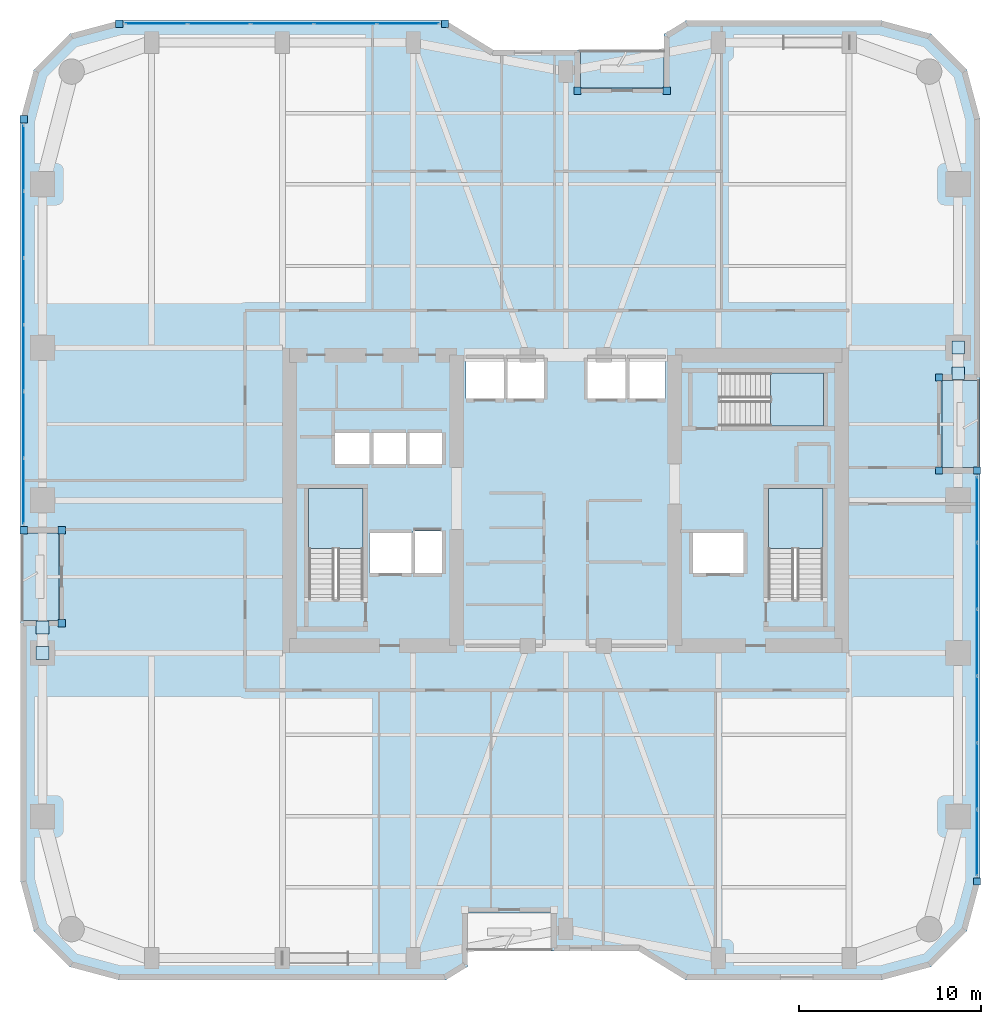
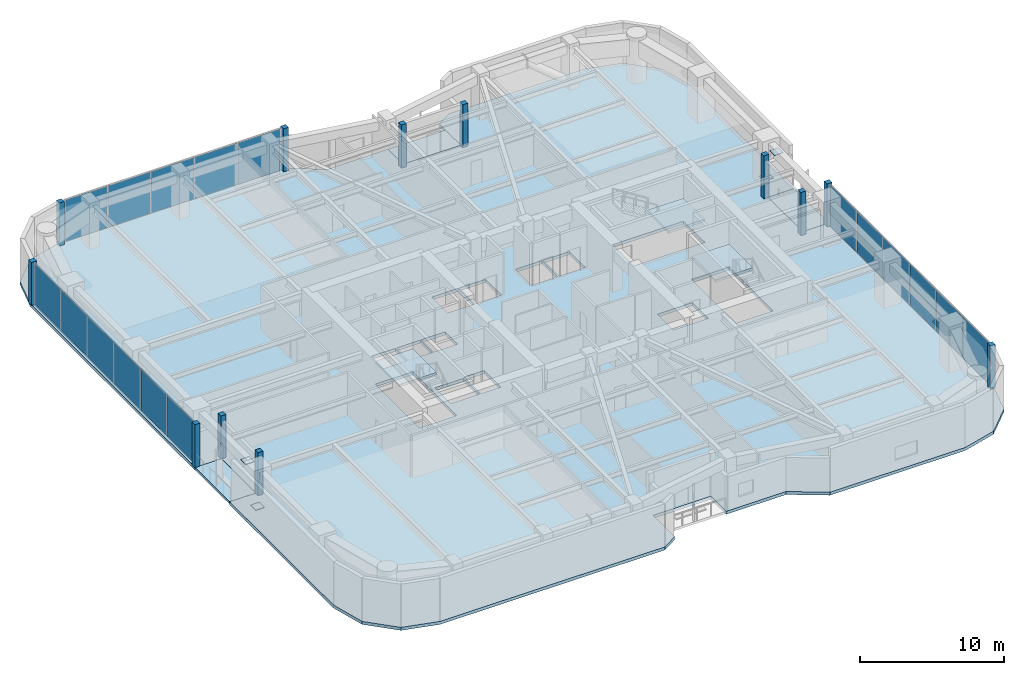
# One storey, part 16 of 24: 33 plates, 7 slabs, 6 elements without a shape of their own.
"""IFC4 building model written with IfcOpenShell, lengths in metres."""

from ifc_helpers import new_model, si_unit, direction, frame, origin, origin_2d, place, context, subcontext, project, spatial, polyline, rectangle, outline, extrude, material, layer, layer_set, type_object, element, aggregate, save


model = new_model("IFC4")

# Units and contexts
model_context = context("Model", 3, precision=1e-05, world=origin(), true_north=direction((0.0, 1.0)))
body_context = subcontext(model_context, "Body", "Model", "MODEL_VIEW")
ifc_project = project(units=[si_unit("LENGTHUNIT", "METRE"), si_unit("AREAUNIT", "SQUARE_METRE"), si_unit("VOLUMEUNIT", "CUBIC_METRE"), si_unit("PLANEANGLEUNIT", "RADIAN"), si_unit("MASSUNIT", "GRAM", prefix="KILO")], contexts=[model_context])

# Site, building, storey
site_placement = place(None, origin())
site = spatial("IfcSite", under=ifc_project, at=site_placement, CompositionType="ELEMENT")
building_placement = place(site_placement, origin())
building = spatial("IfcBuilding", under=site, at=building_placement, Name="Kiyonajd Concourse Tower", CompositionType="ELEMENT")
storey_placement = place(building_placement, frame((0.0, 0.0, 137.699951171875)))
storey = spatial("IfcBuildingStorey", under=building, at=storey_placement, Name="L35", CompositionType="ELEMENT", Elevation=137.699951171875)

# Plates
ifc_material_1 = material(Name="Steel ASTM A572 Grade 50", Category="steel")
ifc_layer_1 = layer(ifc_material_1, 0.028076171875)
ifc_layer_set_1 = layer_set([ifc_layer_1], Name="Steel ASTM A572 Grade 50")
plate_type_1 = type_object("IfcPlateType", Name="PL-CAP-450", PredefinedType="USERDEFINED", material=ifc_layer_set_1)
for number, where, z_axis, x_axis, name in (
    (1, (19.199951171875, 27.59521484375, 0.27587890625), (0.0, 0.0, 1.0), (1.0, 0.0, 0.0), "L35 Hollow Brace End Cap Plate PBW"),
    (2, (19.199951171875, 29.004638671875, 3.2861328125), (0.0, 0.0, 1.0), (1.0, 0.0, 0.0), "L35 Hollow Brace Top Cap Plate PBW"),
    (3, (69.60009765625, 44.40478515625, 0.27587890625), (0.0, 0.0, 1.0), (1.0, 0.0, 0.0), "L35 Hollow Brace End Cap Plate PBE"),
    (4, (69.60009765625, 42.995361328125, 3.2861328125), (0.0, 0.0, 1.0), (1.0, 0.0, 0.0), "L35 Hollow Brace Top Cap Plate PBE"),
):
    element("IfcPlate", number, at=place(storey_placement, frame(where, z_axis=z_axis, x_axis=x_axis)), inside=storey, type_object=plate_type_1, Name=name, ObjectType="CAP PLATE", PredefinedType="USERDEFINED", context=body_context, shape_type="SweptSolid", body=[
        extrude(rectangle(XDim=0.7099609375, YDim=0.7099609375, at=origin_2d()), origin(), (0.0, 0.0, 1.0), 0.028076171875),
    ])

# Curtain wall, plates
ifc_material_2 = material(Name="Thermally Broken Anodised Aluminium", Category="aluminium")
ifc_layer_2 = layer(ifc_material_2, 0.179931640625)
ifc_layer_set_2 = layer_set([ifc_layer_2], Name="Thermally Broken Anodised Aluminium")
curtain_wall_type = type_object("IfcCurtainWallType", Name="CW-SYS-03", PredefinedType="NOTDEFINED", material=ifc_layer_set_2)
curtain_wall_1_placement = place(storey_placement, origin())
curtain_wall_1 = element("IfcCurtainWall", 5, at=curtain_wall_1_placement, inside=storey, type_object=curtain_wall_type, Name="L35 Unitised Curtain Wall CW3", PredefinedType="NOTDEFINED")
ifc_material_3 = material(Name="Double Low-E Insulated Glass", Category="glass")
ifc_layer_3 = layer(ifc_material_3, 0.033935546875)
ifc_layer_set_3 = layer_set([ifc_layer_3], Name="Double Low-E Insulated Glass")
plate_type_2 = type_object("IfcPlateType", Name="PL-CW-VIS34", PredefinedType="CURTAIN_PANEL", material=ifc_layer_set_3)
plate_1_placement = place(storey_placement, frame((18.159912109375, 36.5029296875, 0.06494140625), z_axis=(0.0, 0.0, 1.0), x_axis=(0.0, 1.0, 0.0)))
plate_1 = element("IfcPlate", 6, at=plate_1_placement, type_object=plate_type_2, Name="CW3 panel 1.1", PredefinedType="CURTAIN_PANEL", context=body_context, shape_type="SweptSolid", body=[
    extrude(rectangle(XDim=3.57568359375, YDim=0.033935546875, at=origin_2d()), origin(), (0.0, 0.0, 1.0), 3.510009765625),
])
plate_2_placement = place(storey_placement, frame((18.159912109375, 40.15966796875, 0.06494140625), z_axis=(0.0, 0.0, 1.0), x_axis=(0.0, 1.0, 0.0)))
plate_2 = element("IfcPlate", 7, at=plate_2_placement, type_object=plate_type_2, Name="CW3 panel 2.1", PredefinedType="CURTAIN_PANEL", context=body_context, shape_type="SweptSolid", body=[
    extrude(rectangle(XDim=3.608154296875, YDim=0.033935546875, at=origin_2d()), origin(), (0.0, 0.0, 1.0), 3.510009765625),
])
plate_3_placement = place(storey_placement, frame((18.159912109375, 43.832763671875, 0.06494140625), z_axis=(0.0, 0.0, 1.0), x_axis=(0.0, 1.0, 0.0)))
plate_3 = element("IfcPlate", 8, at=plate_3_placement, type_object=plate_type_2, Name="CW3 panel 3.1", PredefinedType="CURTAIN_PANEL", context=body_context, shape_type="SweptSolid", body=[
    extrude(rectangle(XDim=3.608154296875, YDim=0.033935546875, at=origin_2d()), origin(), (0.0, 0.0, 1.0), 3.510009765625),
])
plate_4_placement = place(storey_placement, frame((18.159912109375, 47.506103515625, 0.06494140625), z_axis=(0.0, 0.0, 1.0), x_axis=(0.0, 1.0, 0.0)))
plate_4 = element("IfcPlate", 9, at=plate_4_placement, type_object=plate_type_2, Name="CW3 panel 4.1", PredefinedType="CURTAIN_PANEL", context=body_context, shape_type="SweptSolid", body=[
    extrude(rectangle(XDim=3.608154296875, YDim=0.033935546875, at=origin_2d()), origin(), (0.0, 0.0, 1.0), 3.510009765625),
])
plate_5_placement = place(storey_placement, frame((18.159912109375, 51.17919921875, 0.06494140625), z_axis=(0.0, 0.0, 1.0), x_axis=(0.0, 1.0, 0.0)))
plate_5 = element("IfcPlate", 10, at=plate_5_placement, type_object=plate_type_2, Name="CW3 panel 5.1", PredefinedType="CURTAIN_PANEL", context=body_context, shape_type="SweptSolid", body=[
    extrude(rectangle(XDim=3.608154296875, YDim=0.033935546875, at=origin_2d()), origin(), (0.0, 0.0, 1.0), 3.510009765625),
])
plate_6_placement = place(storey_placement, frame((18.159912109375, 54.836181640625, 0.06494140625), z_axis=(0.0, 0.0, 1.0), x_axis=(0.0, 1.0, 0.0)))
plate_6 = element("IfcPlate", 11, at=plate_6_placement, type_object=plate_type_2, Name="CW3 panel 6.1", PredefinedType="CURTAIN_PANEL", context=body_context, shape_type="SweptSolid", body=[
    extrude(rectangle(XDim=3.57568359375, YDim=0.033935546875, at=origin_2d()), origin(), (0.0, 0.0, 1.0), 3.510009765625),
])
aggregate(curtain_wall_1, [plate_1, plate_2, plate_3, plate_4, plate_5, plate_6])

curtain_wall_2_placement = place(storey_placement, origin())
curtain_wall_2 = element("IfcCurtainWall", 12, at=curtain_wall_2_placement, inside=storey, type_object=curtain_wall_type, Name="L35 Unitised Curtain Wall CW3", PredefinedType="NOTDEFINED")
plate_7_placement = place(storey_placement, frame((25.462646484375, 62.239990234375, 0.06494140625), z_axis=(0.0, 0.0, 1.0), x_axis=(1.0, 0.0, 0.0)))
plate_7 = element("IfcPlate", 13, at=plate_7_placement, type_object=plate_type_2, Name="CW3 panel 1.1", PredefinedType="CURTAIN_PANEL", context=body_context, shape_type="SweptSolid", body=[
    extrude(rectangle(XDim=3.373291015625, YDim=0.033935546875, at=origin_2d()), origin(), (0.0, 0.0, 1.0), 3.510009765625),
])
plate_8_placement = place(storey_placement, frame((28.917236328125, 62.239990234375, 0.06494140625), z_axis=(0.0, 0.0, 1.0), x_axis=(1.0, 0.0, 0.0)))
plate_8 = element("IfcPlate", 14, at=plate_8_placement, type_object=plate_type_2, Name="CW3 panel 2.1", PredefinedType="CURTAIN_PANEL", context=body_context, shape_type="SweptSolid", body=[
    extrude(rectangle(XDim=3.40576171875, YDim=0.033935546875, at=origin_2d()), origin(), (0.0, 0.0, 1.0), 3.510009765625),
])
plate_9_placement = place(storey_placement, frame((32.387939453125, 62.239990234375, 0.06494140625), z_axis=(0.0, 0.0, 1.0), x_axis=(1.0, 0.0, 0.0)))
plate_9 = element("IfcPlate", 15, at=plate_9_placement, type_object=plate_type_2, Name="CW3 panel 3.1", PredefinedType="CURTAIN_PANEL", context=body_context, shape_type="SweptSolid", body=[
    extrude(rectangle(XDim=3.40576171875, YDim=0.033935546875, at=origin_2d()), origin(), (0.0, 0.0, 1.0), 3.510009765625),
])
plate_10_placement = place(storey_placement, frame((35.858642578125, 62.239990234375, 0.06494140625), z_axis=(0.0, 0.0, 1.0), x_axis=(1.0, 0.0, 0.0)))
plate_10 = element("IfcPlate", 16, at=plate_10_placement, type_object=plate_type_2, Name="CW3 panel 4.1", PredefinedType="CURTAIN_PANEL", context=body_context, shape_type="SweptSolid", body=[
    extrude(rectangle(XDim=3.40576171875, YDim=0.033935546875, at=origin_2d()), origin(), (0.0, 0.0, 1.0), 3.510009765625),
])
plate_11_placement = place(storey_placement, frame((39.31298828125, 62.239990234375, 0.06494140625), z_axis=(0.0, 0.0, 1.0), x_axis=(1.0, 0.0, 0.0)))
plate_11 = element("IfcPlate", 17, at=plate_11_placement, type_object=plate_type_2, Name="CW3 panel 5.1", PredefinedType="CURTAIN_PANEL", context=body_context, shape_type="SweptSolid", body=[
    extrude(rectangle(XDim=3.373291015625, YDim=0.033935546875, at=origin_2d()), origin(), (0.0, 0.0, 1.0), 3.510009765625),
])
aggregate(curtain_wall_2, [plate_7, plate_8, plate_9, plate_10, plate_11])

curtain_wall_3_placement = place(storey_placement, origin())
curtain_wall_3 = element("IfcCurtainWall", 18, at=curtain_wall_3_placement, inside=storey, type_object=curtain_wall_type, Name="L35 Unitised Curtain Wall CW3", PredefinedType="NOTDEFINED")
plate_12_placement = place(storey_placement, frame((70.639892578125, 35.4970703125, 0.06494140625), z_axis=(0.0, 0.0, 1.0), x_axis=(0.0, -1.0, 0.0)))
plate_12 = element("IfcPlate", 19, at=plate_12_placement, type_object=plate_type_2, Name="CW3 panel 1.1", PredefinedType="CURTAIN_PANEL", context=body_context, shape_type="SweptSolid", body=[
    extrude(rectangle(XDim=3.57568359375, YDim=0.033935546875, at=origin_2d()), origin(), (0.0, 0.0, 1.0), 3.510009765625),
])
plate_13_placement = place(storey_placement, frame((70.639892578125, 31.84033203125, 0.06494140625), z_axis=(0.0, 0.0, 1.0), x_axis=(0.0, -1.0, 0.0)))
plate_13 = element("IfcPlate", 20, at=plate_13_placement, type_object=plate_type_2, Name="CW3 panel 2.1", PredefinedType="CURTAIN_PANEL", context=body_context, shape_type="SweptSolid", body=[
    extrude(rectangle(XDim=3.608154296875, YDim=0.033935546875, at=origin_2d()), origin(), (0.0, 0.0, 1.0), 3.510009765625),
])
plate_14_placement = place(storey_placement, frame((70.639892578125, 28.167236328125, 0.06494140625), z_axis=(0.0, 0.0, 1.0), x_axis=(0.0, -1.0, 0.0)))
plate_14 = element("IfcPlate", 21, at=plate_14_placement, type_object=plate_type_2, Name="CW3 panel 3.1", PredefinedType="CURTAIN_PANEL", context=body_context, shape_type="SweptSolid", body=[
    extrude(rectangle(XDim=3.608154296875, YDim=0.033935546875, at=origin_2d()), origin(), (0.0, 0.0, 1.0), 3.510009765625),
])
plate_15_placement = place(storey_placement, frame((70.639892578125, 24.493896484375, 0.06494140625), z_axis=(0.0, 0.0, 1.0), x_axis=(0.0, -1.0, 0.0)))
plate_15 = element("IfcPlate", 22, at=plate_15_placement, type_object=plate_type_2, Name="CW3 panel 4.1", PredefinedType="CURTAIN_PANEL", context=body_context, shape_type="SweptSolid", body=[
    extrude(rectangle(XDim=3.608154296875, YDim=0.033935546875, at=origin_2d()), origin(), (0.0, 0.0, 1.0), 3.510009765625),
])
plate_16_placement = place(storey_placement, frame((70.639892578125, 20.82080078125, 0.06494140625), z_axis=(0.0, 0.0, 1.0), x_axis=(0.0, -1.0, 0.0)))
plate_16 = element("IfcPlate", 23, at=plate_16_placement, type_object=plate_type_2, Name="CW3 panel 5.1", PredefinedType="CURTAIN_PANEL", context=body_context, shape_type="SweptSolid", body=[
    extrude(rectangle(XDim=3.608154296875, YDim=0.033935546875, at=origin_2d()), origin(), (0.0, 0.0, 1.0), 3.510009765625),
])
plate_17_placement = place(storey_placement, frame((70.639892578125, 17.163818359375, 0.06494140625), z_axis=(0.0, 0.0, 1.0), x_axis=(0.0, -1.0, 0.0)))
plate_17 = element("IfcPlate", 24, at=plate_17_placement, type_object=plate_type_2, Name="CW3 panel 6.1", PredefinedType="CURTAIN_PANEL", context=body_context, shape_type="SweptSolid", body=[
    extrude(rectangle(XDim=3.57568359375, YDim=0.033935546875, at=origin_2d()), origin(), (0.0, 0.0, 1.0), 3.510009765625),
])
aggregate(curtain_wall_3, [plate_12, plate_13, plate_14, plate_15, plate_16, plate_17])

# Plates
ifc_layer_4 = layer(ifc_material_2, 0.39990234375)
ifc_layer_set_4 = layer_set([ifc_layer_4], Name="Thermally Broken Anodised Aluminium")
plate_type_3 = type_object("IfcPlateType", Name="PL-JMB-400", PredefinedType="USERDEFINED", material=ifc_layer_set_4)
for number, where, z_axis, x_axis, name in (
    (25, (20.260009765625, 29.239990234375, 0.0), (0.0, 0.0, 1.0), (1.0, 0.0, 0.0), "L35 Facade Jamb Closure Plate 01"),
    (26, (20.260009765625, 34.360107421875, 0.0), (0.0, 0.0, 1.0), (1.0, 0.0, 0.0), "L35 Facade Jamb Closure Plate 02"),
    (27, (18.159912109375, 34.360107421875, 0.0), (0.0, 0.0, 1.0), (1.0, 0.0, 0.0), "L35 Facade Jamb Closure Plate 03"),
    (28, (18.159912109375, 56.97900390625, 0.0), (0.0, 0.0, 1.0), (1.0, 0.0, 0.0), "L35 Facade Jamb Closure Plate 04"),
    (29, (23.421142578125, 62.239990234375, 0.0), (0.0, 0.0, 1.0), (1.0, 0.0, 0.0), "L35 Facade Jamb Closure Plate 05"),
    (30, (41.354736328125, 62.239990234375, 0.0), (0.0, 0.0, 1.0), (1.0, 0.0, 0.0), "L35 Facade Jamb Closure Plate 06"),
    (31, (48.639892578125, 58.5400390625, 0.0), (0.0, 0.0, 1.0), (1.0, 0.0, 0.0), "L35 Facade Jamb Closure Plate 07"),
    (32, (53.56005859375, 58.5400390625, 0.0), (0.0, 0.0, 1.0), (1.0, 0.0, 0.0), "L35 Facade Jamb Closure Plate 08"),
    (33, (68.5400390625, 42.760009765625, 0.0), (0.0, 0.0, 1.0), (1.0, 0.0, 0.0), "L35 Facade Jamb Closure Plate 09"),
    (34, (68.5400390625, 37.639892578125, 0.0), (0.0, 0.0, 1.0), (1.0, 0.0, 0.0), "L35 Facade Jamb Closure Plate 10"),
    (35, (70.639892578125, 37.639892578125, 0.0), (0.0, 0.0, 1.0), (1.0, 0.0, 0.0), "L35 Facade Jamb Closure Plate 11"),
    (36, (70.639892578125, 15.02099609375, 0.0), (0.0, 0.0, 1.0), (1.0, 0.0, 0.0), "L35 Facade Jamb Closure Plate 12"),
):
    element("IfcPlate", number, at=place(storey_placement, frame(where, z_axis=z_axis, x_axis=x_axis)), inside=storey, type_object=plate_type_3, Name=name, ObjectType="JAMB PLATE", PredefinedType="USERDEFINED", context=body_context, shape_type="SweptSolid", body=[
        extrude(rectangle(XDim=0.39990234375, YDim=0.39990234375, at=origin_2d()), origin(), (0.0, 0.0, 1.0), 3.639892578125),
    ])

# Stair, slab
ifc_material_4 = material(Name="Concrete C40/50", Category="concrete")
stair_type = type_object("IfcStairType", Name="ST-DLG-22R", PredefinedType="HALF_TURN_STAIR", material=ifc_material_4)
stair_1_placement = place(storey_placement, origin())
stair_1 = element("IfcStair", 37, at=stair_1_placement, inside=storey, type_object=stair_type, Name="L35 Protected Exit Stair ST1", PredefinedType="HALF_TURN_STAIR")
ifc_layer_5 = layer(ifc_material_4, 0.199951171875)
ifc_layer_set_5 = layer_set([ifc_layer_5], Name="Concrete C40/50")
slab_type_1 = type_object("IfcSlabType", Name="SL-LND-200", PredefinedType="LANDING", material=ifc_layer_set_5)
slab_1_placement = place(storey_placement, frame((0.0, 0.0, 1.75)))
slab_1 = element("IfcSlab", 38, at=slab_1_placement, type_object=slab_type_1, Name="ST1 landing 1", PredefinedType="LANDING", context=body_context, shape_type="SweptSolid", body=[
    extrude(outline(polyline([(36.85009765625, 33.35009765625), (36.85009765625, 36.64990234375), (33.85009765625, 36.64990234375), (33.85009765625, 33.35009765625), (36.85009765625, 33.35009765625)])), origin(), (0.0, 0.0, 1.0), 0.199951171875),
])
aggregate(stair_1, [slab_1])

stair_2_placement = place(storey_placement, origin())
stair_2 = element("IfcStair", 39, at=stair_2_placement, inside=storey, type_object=stair_type, Name="L35 Protected Exit Stair ST2", PredefinedType="HALF_TURN_STAIR")
slab_2_placement = place(storey_placement, frame((0.0, 0.0, 1.75)))
slab_2 = element("IfcSlab", 40, at=slab_2_placement, type_object=slab_type_1, Name="ST2 landing 1", PredefinedType="LANDING", context=body_context, shape_type="SweptSolid", body=[
    extrude(outline(polyline([(62.14990234375, 33.35009765625), (62.14990234375, 36.64990234375), (59.14990234375, 36.64990234375), (59.14990234375, 33.35009765625), (62.14990234375, 33.35009765625)])), origin(), (0.0, 0.0, 1.0), 0.199951171875),
])
aggregate(stair_2, [slab_2])

stair_3_placement = place(storey_placement, origin())
stair_3 = element("IfcStair", 41, at=stair_3_placement, inside=storey, type_object=stair_type, Name="L35 Protected Exit Stair ST3", PredefinedType="HALF_TURN_STAIR")
slab_3_placement = place(storey_placement, frame((0.0, 0.0, 1.75)))
slab_3 = element("IfcSlab", 42, at=slab_3_placement, type_object=slab_type_1, Name="ST3 landing 1", PredefinedType="LANDING", context=body_context, shape_type="SweptSolid", body=[
    extrude(outline(polyline([(59.280029296875, 40.080078125), (62.179931640625, 40.080078125), (62.179931640625, 43.02001953125), (59.280029296875, 43.02001953125), (59.280029296875, 40.080078125)])), origin(), (0.0, 0.0, 1.0), 0.199951171875),
])
aggregate(stair_3, [slab_3])

# Slabs
ifc_material_5 = material(Name="Precast concrete C50/60", Category="concrete")
ifc_layer_6 = layer(ifc_material_5, 0.199951171875)
ifc_layer_set_6 = layer_set([ifc_layer_6], Name="Precast concrete C50/60")
slab_type_2 = type_object("IfcSlabType", Name="SL-LOG-200", PredefinedType="FLOOR", material=ifc_layer_set_6)
slab_4_placement = place(storey_placement, frame((0.0, 0.0, -0.199951171875)))
element("IfcSlab", 43, at=slab_4_placement, inside=storey, type_object=slab_type_2, Name="L35 Recessed Engawa Loggia Terrace Slab LOG-N", PredefinedType="FLOOR", context=body_context, shape_type="SweptSolid", body=[
    extrude(outline(polyline([(48.800048828125, 58.699951171875), (53.39990234375, 58.699951171875), (53.39990234375, 60.800048828125), (48.800048828125, 60.800048828125), (48.800048828125, 58.699951171875)])), origin(), (0.0, 0.0, 1.0), 0.199951171875),
])
slab_5_placement = place(storey_placement, frame((0.0, 0.0, -0.199951171875)))
element("IfcSlab", 44, at=slab_5_placement, inside=storey, type_object=slab_type_2, Name="L35 Recessed Engawa Loggia Terrace Slab LOG-W", PredefinedType="FLOOR", context=body_context, shape_type="SweptSolid", body=[
    extrude(outline(polyline([(18.0, 29.39990234375), (20.10009765625, 29.39990234375), (20.10009765625, 34.199951171875), (18.0, 34.199951171875), (18.0, 29.39990234375)])), origin(), (0.0, 0.0, 1.0), 0.199951171875),
])
slab_6_placement = place(storey_placement, frame((0.0, 0.0, -0.199951171875)))
element("IfcSlab", 45, at=slab_6_placement, inside=storey, type_object=slab_type_2, Name="L35 Recessed Engawa Loggia Terrace Slab LOG-E", PredefinedType="FLOOR", context=body_context, shape_type="SweptSolid", body=[
    extrude(outline(polyline([(68.699951171875, 37.800048828125), (70.800048828125, 37.800048828125), (70.800048828125, 42.60009765625), (68.699951171875, 42.60009765625), (68.699951171875, 37.800048828125)])), origin(), (0.0, 0.0, 1.0), 0.199951171875),
])
ifc_layer_7 = layer(ifc_material_4, 0.260009765625)
ifc_layer_set_7 = layer_set([ifc_layer_7], Name="Concrete C40/50")
slab_type_3 = type_object("IfcSlabType", Name="SL-TWR-260", PredefinedType="FLOOR", material=ifc_layer_set_7)
slab_7_placement = place(storey_placement, frame((0.0, 0.0, -0.260009765625)))
element("IfcSlab", 46, at=slab_7_placement, inside=storey, type_object=slab_type_3, Name="L35 Tower Conditioned Floor Slab", PredefinedType="FLOOR", context=body_context, shape_type="SweptSolid", body=[
    extrude(outline(polyline([(18.722900390625, 12.300048828125), (18.0, 15.0), (18.0, 29.39990234375), (20.10009765625, 29.39990234375), (20.10009765625, 34.199951171875), (18.0, 34.199951171875), (18.0, 57.0), (18.722900390625, 59.699951171875), (20.699951171875, 61.677001953125), (23.39990234375, 62.39990234375), (41.39990234375, 62.39990234375), (44.0, 60.800048828125), (48.800048828125, 60.800048828125), (48.800048828125, 58.699951171875), (53.39990234375, 58.699951171875), (53.39990234375, 61.662109375), (54.60009765625, 62.39990234375), (65.39990234375, 62.39990234375), (68.10009765625, 61.677001953125), (70.076904296875, 59.699951171875), (70.800048828125, 57.0), (70.800048828125, 42.60009765625), (68.699951171875, 42.60009765625), (68.699951171875, 37.800048828125), (70.800048828125, 37.800048828125), (70.800048828125, 15.0), (70.076904296875, 12.300048828125), (68.10009765625, 10.322998046875), (65.39990234375, 9.60009765625), (54.60009765625, 9.60009765625), (52.0, 11.199951171875), (47.199951171875, 11.199951171875), (47.199951171875, 13.300048828125), (42.60009765625, 13.300048828125), (42.60009765625, 10.337890625), (41.39990234375, 9.60009765625), (23.39990234375, 9.60009765625), (20.699951171875, 10.322998046875), (18.722900390625, 12.300048828125)]), holes=[polyline([(39.5, 32.0), (37.199951171875, 32.0), (37.199951171875, 34.199951171875), (39.5, 34.199951171875), (39.5, 32.0)]), polyline([(39.60009765625, 32.0), (39.60009765625, 34.300048828125), (41.199951171875, 34.300048828125), (41.199951171875, 32.0), (39.60009765625, 32.0)]), polyline([(33.85009765625, 30.550048828125), (33.85009765625, 36.64990234375), (36.85009765625, 36.64990234375), (36.85009765625, 30.550048828125), (33.85009765625, 30.550048828125)]), polyline([(37.199951171875, 38.0), (35.300048828125, 38.0), (35.300048828125, 39.699951171875), (37.199951171875, 39.699951171875), (37.199951171875, 38.0)]), polyline([(37.300048828125, 38.0), (37.300048828125, 39.699951171875), (39.199951171875, 39.699951171875), (39.199951171875, 38.0), (37.300048828125, 38.0)]), polyline([(39.300048828125, 38.0), (39.300048828125, 39.699951171875), (41.199951171875, 39.699951171875), (41.199951171875, 38.0), (39.300048828125, 38.0)]), polyline([(44.60009765625, 41.60009765625), (42.5, 41.60009765625), (42.5, 43.800048828125), (44.60009765625, 43.800048828125), (44.60009765625, 41.60009765625)]), polyline([(55.0, 32.0), (55.0, 34.199951171875), (57.800048828125, 34.199951171875), (57.800048828125, 32.0), (55.0, 32.0)]), polyline([(59.14990234375, 30.550048828125), (59.14990234375, 36.64990234375), (62.14990234375, 36.64990234375), (62.14990234375, 30.550048828125), (59.14990234375, 30.550048828125)]), polyline([(56.47998046875, 43.02001953125), (62.179931640625, 43.02001953125), (62.179931640625, 40.080078125), (56.47998046875, 40.080078125), (56.47998046875, 43.02001953125)]), polyline([(44.699951171875, 41.60009765625), (44.699951171875, 43.800048828125), (46.800048828125, 43.800048828125), (46.800048828125, 41.60009765625), (44.699951171875, 41.60009765625)]), polyline([(49.199951171875, 41.60009765625), (49.199951171875, 43.800048828125), (51.300048828125, 43.800048828125), (51.300048828125, 41.60009765625), (49.199951171875, 41.60009765625)]), polyline([(51.39990234375, 41.60009765625), (51.39990234375, 43.800048828125), (53.5, 43.800048828125), (53.5, 41.60009765625), (51.39990234375, 41.60009765625)])]), origin(), (0.0, 0.0, 1.0), 0.260009765625),
])

save(model, "model.ifc")
